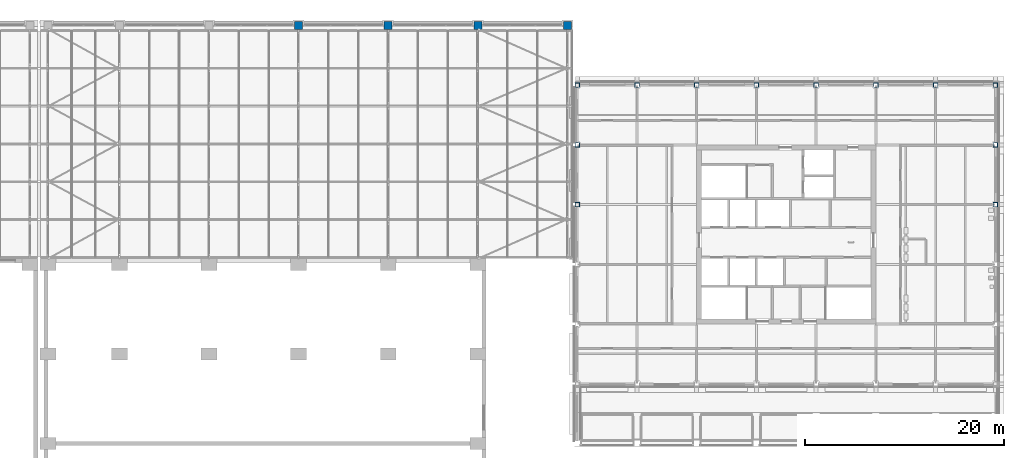
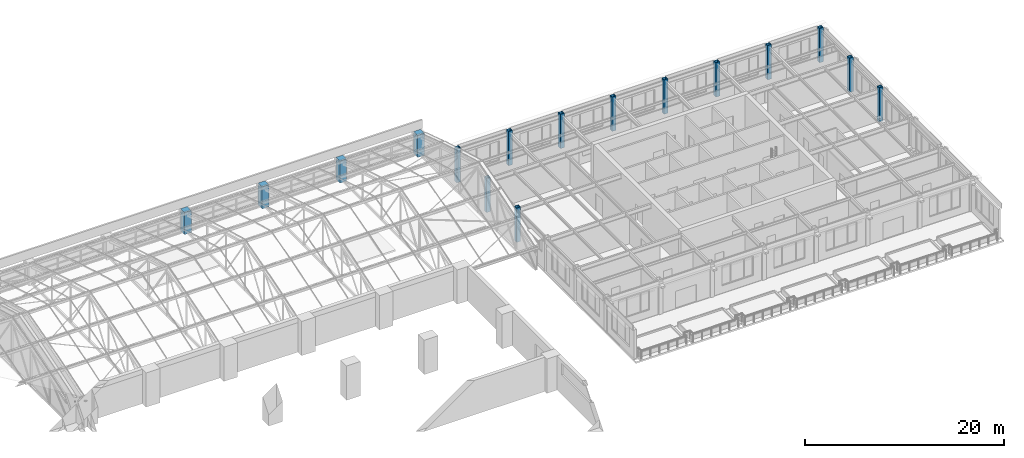
# One storey, part 3 of 82: 16 columns.
"""IFC4 building model written with IfcOpenShell, lengths in metres."""

from ifc_helpers import new_model, si_unit, direction, frame, origin, origin_2d, place, context, subcontext, project, spatial, rectangle, hollow_rectangle, extrude, material, material_profile, profile_set, type_object, element, save


model = new_model("IFC4")

# Units and contexts
model_context = context("Model", 3, precision=1e-05, world=origin(), true_north=direction((0.0, 1.0)))
body_context = subcontext(model_context, "Body", "Model", "MODEL_VIEW")
ifc_project = project(units=[si_unit("LENGTHUNIT", "METRE"), si_unit("AREAUNIT", "SQUARE_METRE"), si_unit("VOLUMEUNIT", "CUBIC_METRE"), si_unit("PLANEANGLEUNIT", "RADIAN"), si_unit("MASSUNIT", "GRAM", prefix="KILO")], contexts=[model_context])

# Site, building, storey
site_placement = place(None, origin())
site = spatial("IfcSite", under=ifc_project, at=site_placement, CompositionType="ELEMENT")
building_placement = place(site_placement, origin())
building = spatial("IfcBuilding", under=site, at=building_placement, Name="Aravalli Gate Trade Fair Centre", CompositionType="ELEMENT")
storey_placement = place(building_placement, frame((0.0, 0.0, 19.199951171875)))
storey = spatial("IfcBuildingStorey", under=building, at=storey_placement, Name="L04", CompositionType="ELEMENT", Elevation=19.199951171875)

# Columns
ifc_material_1 = material(Name="Concrete M45", Category="concrete")
ifc_material_profile_1 = material_profile(ifc_material_1, rectangle(XDim=0.800048828125, YDim=0.800048828125, at=origin_2d()), Name="RC column 800 x 800")
ifc_profile_set_1 = profile_set([ifc_material_profile_1], Name="Concrete M45")
column_type_1 = type_object("IfcColumnType", Name="RC column 800 x 800", PredefinedType="COLUMN", material=ifc_profile_set_1)
for number, where, z_axis, x_axis, name in (
    (1, (132.0, 133.0, 0.0), (0.0, 0.0, 1.0), (1.0, 0.0, 0.0), "Concourse column K15 L04"),
    (2, (141.0, 133.0, 0.0), (0.0, 0.0, 1.0), (1.0, 0.0, 0.0), "Concourse column K16 L04"),
    (3, (150.0, 133.0, 0.0), (0.0, 0.0, 1.0), (1.0, 0.0, 0.0), "Concourse column K17 L04"),
    (4, (159.0, 133.0, 0.0), (0.0, 0.0, 1.0), (1.0, 0.0, 0.0), "Concourse column KE L04"),
):
    element("IfcColumn", number, at=place(storey_placement, frame(where, z_axis=z_axis, x_axis=x_axis)), inside=storey, type_object=column_type_1, Name=name, PredefinedType="COLUMN", context=body_context, shape_type="SweptSolid", body=[
        extrude(rectangle(XDim=0.800048828125, YDim=0.800048828125, at=origin_2d()), origin(), (0.0, 0.0, 1.0), 2.699951171875),
    ])
ifc_material_2 = material(Name="Steel E350", Category="steel")
ifc_material_profile_2 = material_profile(ifc_material_2, hollow_rectangle(XDim=0.449951171875, YDim=0.449951171875, WallThickness=0.02490234375, at=origin_2d()), Name="BOX 450x450x25")
ifc_profile_set_2 = profile_set([ifc_material_profile_2], Name="Steel E350")
column_type_2 = type_object("IfcColumnType", Name="Wing top-storey box column 450 x 450 x 25", PredefinedType="COLUMN", material=ifc_profile_set_2)
for number, where, z_axis, x_axis, name in (
    (5, (160.0, 115.0, 0.0), (0.0, 0.0, 1.0), (1.0, 0.0, 0.0), "Wing column 18/T3 L04"),
    (6, (160.0, 121.0, 0.0), (0.0, 0.0, 1.0), (1.0, 0.0, 0.0), "Wing column 18/J L04"),
    (7, (160.0, 127.0, 0.0), (0.0, 0.0, 1.0), (1.0, 0.0, 0.0), "Wing column 18/T4 L04"),
    (8, (202.0, 115.0, 0.0), (0.0, 0.0, 1.0), (1.0, 0.0, 0.0), "Wing column 25/T3 L04"),
    (9, (202.0, 121.0, 0.0), (0.0, 0.0, 1.0), (1.0, 0.0, 0.0), "Wing column 25/J L04"),
    (10, (202.0, 127.0, 0.0), (0.0, 0.0, 1.0), (1.0, 0.0, 0.0), "Wing column 25/T4 L04"),
    (11, (166.0, 127.0, 0.0), (0.0, 0.0, 1.0), (1.0, 0.0, 0.0), "Wing column 19/T4 L04"),
    (12, (172.0, 127.0, 0.0), (0.0, 0.0, 1.0), (1.0, 0.0, 0.0), "Wing column 20/T4 L04"),
    (13, (178.0, 127.0, 0.0), (0.0, 0.0, 1.0), (1.0, 0.0, 0.0), "Wing column 21/T4 L04"),
    (14, (184.0, 127.0, 0.0), (0.0, 0.0, 1.0), (1.0, 0.0, 0.0), "Wing column 22/T4 L04"),
    (15, (190.0, 127.0, 0.0), (0.0, 0.0, 1.0), (1.0, 0.0, 0.0), "Wing column 23/T4 L04"),
    (16, (196.0, 127.0, 0.0), (0.0, 0.0, 1.0), (1.0, 0.0, 0.0), "Wing column 24/T4 L04"),
):
    element("IfcColumn", number, at=place(storey_placement, frame(where, z_axis=z_axis, x_axis=x_axis)), inside=storey, type_object=column_type_2, Name=name, PredefinedType="COLUMN", context=body_context, shape_type="SweptSolid", body=[
        extrude(hollow_rectangle(XDim=0.449951171875, YDim=0.449951171875, WallThickness=0.02490234375, at=origin_2d()), origin(), (0.0, 0.0, 1.0), 4.199951171875),
    ])

save(model, "model.ifc")
